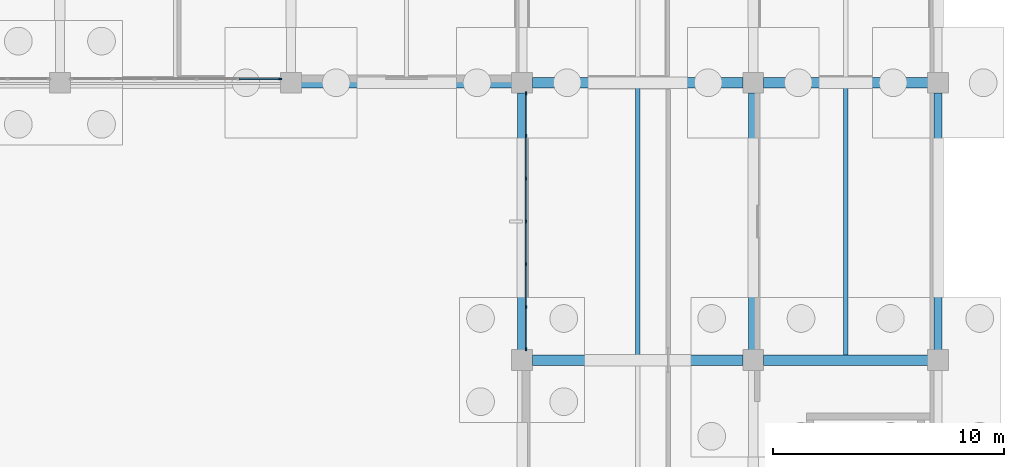
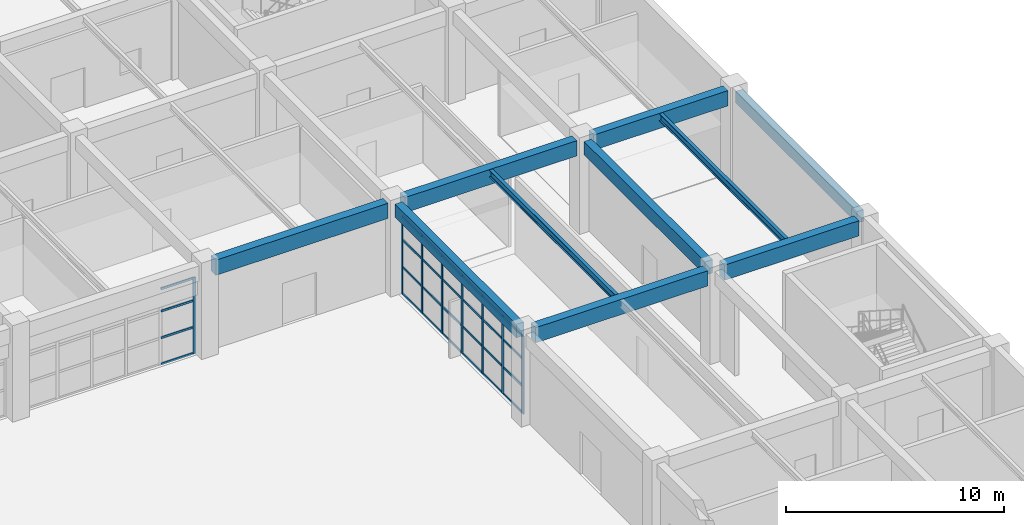
# One storey, part 62 of 99: 36 members, 10 beams, 2 elements without a shape of their own.
"""IFC4 building model written with IfcOpenShell, lengths in metres."""

from ifc_helpers import new_model, si_unit, direction, frame, origin, origin_2d, place, context, subcontext, project, spatial, rectangle, i_section, extrude, material, layer, layer_set, material_profile, profile_set, type_object, element, aggregate, save


model = new_model("IFC4")

# Units and contexts
model_context = context("Model", 3, precision=1e-05, world=origin(), true_north=direction((0.0, 1.0)))
body_context = subcontext(model_context, "Body", "Model", "MODEL_VIEW")
ifc_project = project(units=[si_unit("LENGTHUNIT", "METRE"), si_unit("AREAUNIT", "SQUARE_METRE"), si_unit("VOLUMEUNIT", "CUBIC_METRE"), si_unit("PLANEANGLEUNIT", "RADIAN"), si_unit("MASSUNIT", "GRAM", prefix="KILO")], contexts=[model_context])

# Site, building, storey
site_placement = place(None, origin())
site = spatial("IfcSite", under=ifc_project, at=site_placement, CompositionType="ELEMENT")
building_placement = place(site_placement, origin())
building = spatial("IfcBuilding", under=site, at=building_placement, Name="Kivolera Central Railway Station", CompositionType="ELEMENT")
storey_placement = place(building_placement, origin())
storey = spatial("IfcBuildingStorey", under=building, at=storey_placement, Name="L00", CompositionType="ELEMENT", Elevation=0.0)

# Beams
ifc_material_1 = material(Name="Steel S355", Category="steel")
ifc_material_profile_1 = material_profile(ifc_material_1, i_section(OverallWidth=0.179931640625, OverallDepth=0.39990234375, WebThickness=0.008544921875, FlangeThickness=0.013427734375, FilletRadius=0.02099609375, at=origin_2d()), Name="IPE 400")
ifc_profile_set_1 = profile_set([ifc_material_profile_1], Name="Steel S355")
beam_type_1 = type_object("IfcBeamType", Name="BM-JST-IPE400", PredefinedType="JOIST", material=ifc_profile_set_1)
for number, where, z_axis, x_axis, name in (
    (1, (183.0, 102.217041015625, 4.907958984375), (0.0, 1.0, 0.0), (-1.0, 0.0, 0.0), "L00 Floor Joist 18-19/J-K"),
    (2, (192.0, 102.217041015625, 4.907958984375), (0.0, 1.0, 0.0), (-1.0, 0.0, 0.0), "L00 Floor Joist 19-20/J-K"),
):
    element("IfcBeam", number, at=place(storey_placement, frame(where, z_axis=z_axis, x_axis=x_axis)), inside=storey, type_object=beam_type_1, Name=name, PredefinedType="JOIST", context=body_context, shape_type="SweptSolid", body=[
        extrude(i_section(OverallWidth=0.179931640625, OverallDepth=0.39990234375, WebThickness=0.008544921875, FlangeThickness=0.013427734375, FilletRadius=0.02099609375, at=origin_2d()), origin(), (0.0, 0.0, 1.0), 11.56591796875),
    ])
ifc_material_2 = material(Name="Concrete C40/50", Category="concrete")
ifc_material_profile_2 = material_profile(ifc_material_2, rectangle(XDim=0.39990234375, YDim=0.75, at=origin_2d()), Name="RC 400x750")
ifc_profile_set_2 = profile_set([ifc_material_profile_2], Name="Concrete C40/50")
beam_type_2 = type_object("IfcBeamType", Name="BM-RC-400x750", PredefinedType="BEAM", material=ifc_profile_set_2)
for number, where, z_axis, x_axis, name in (
    (3, (178.0, 102.44189453125, 4.7451171875), (0.0, 1.0, 0.0), (-1.0, 0.0, 0.0), "L00 Wing Y-Beam 18:J-K"),
    (4, (188.0, 102.44189453125, 4.7451171875), (0.0, 1.0, 0.0), (-1.0, 0.0, 0.0), "L00 Wing Y-Beam 19:J-K"),
):
    element("IfcBeam", number, at=place(storey_placement, frame(where, z_axis=z_axis, x_axis=x_axis)), inside=storey, type_object=beam_type_2, Name=name, PredefinedType="BEAM", context=body_context, shape_type="SweptSolid", body=[
        extrude(rectangle(XDim=0.39990234375, YDim=0.75, at=origin_2d()), origin(), (0.0, 0.0, 1.0), 11.1162109375),
    ])
ifc_material_profile_3 = material_profile(ifc_material_2, rectangle(XDim=0.449951171875, YDim=0.85009765625, at=origin_2d()), Name="RC 450x850")
ifc_profile_set_3 = profile_set([ifc_material_profile_3], Name="Concrete C40/50")
beam_type_3 = type_object("IfcBeamType", Name="BM-RC-450x850", PredefinedType="BEAM", material=ifc_profile_set_3)
beam_1_placement = place(storey_placement, frame((178.44189453125, 102.0, 4.695068359375), z_axis=(1.0, 0.0, 0.0), x_axis=(0.0, 1.0, 0.0)))
element("IfcBeam", 5, at=beam_1_placement, inside=storey, type_object=beam_type_3, Name="L00 Wing X-Beam J:18-19", PredefinedType="BEAM", context=body_context, shape_type="SweptSolid", body=[
    extrude(rectangle(XDim=0.449951171875, YDim=0.85009765625, at=origin_2d()), origin(), (0.0, 0.0, 1.0), 9.1162109375),
])
beam_2_placement = place(storey_placement, frame((188.44189453125, 102.0, 4.695068359375), z_axis=(1.0, 0.0, 0.0), x_axis=(0.0, 1.0, 0.0)))
element("IfcBeam", 6, at=beam_2_placement, inside=storey, type_object=beam_type_3, Name="L00 Wing X-Beam J:19-20", PredefinedType="BEAM", context=body_context, shape_type="SweptSolid", body=[
    extrude(rectangle(XDim=0.449951171875, YDim=0.85009765625, at=origin_2d()), origin(), (0.0, 0.0, 1.0), 7.1162109375),
])
for number, where, z_axis, x_axis, name in (
    (7, (168.44189453125, 114.0, 4.695068359375), (1.0, 0.0, 0.0), (0.0, 1.0, 0.0), "L00 Wing X-Beam K:17-18"),
    (8, (178.44189453125, 114.0, 4.695068359375), (1.0, 0.0, 0.0), (0.0, 1.0, 0.0), "L00 Wing X-Beam K:18-19"),
):
    element("IfcBeam", number, at=place(storey_placement, frame(where, z_axis=z_axis, x_axis=x_axis)), inside=storey, type_object=beam_type_3, Name=name, PredefinedType="BEAM", context=body_context, shape_type="SweptSolid", body=[
        extrude(rectangle(XDim=0.449951171875, YDim=0.85009765625, at=origin_2d()), origin(), (0.0, 0.0, 1.0), 9.1162109375),
    ])
beam_3_placement = place(storey_placement, frame((188.44189453125, 114.0, 4.695068359375), z_axis=(1.0, 0.0, 0.0), x_axis=(0.0, 1.0, 0.0)))
element("IfcBeam", 9, at=beam_3_placement, inside=storey, type_object=beam_type_3, Name="L00 Wing X-Beam K:19-20", PredefinedType="BEAM", context=body_context, shape_type="SweptSolid", body=[
    extrude(rectangle(XDim=0.449951171875, YDim=0.85009765625, at=origin_2d()), origin(), (0.0, 0.0, 1.0), 7.1162109375),
])
ifc_material_profile_4 = material_profile(ifc_material_2, rectangle(XDim=0.35009765625, YDim=0.64990234375, at=origin_2d()), Name="RC 350x650")
ifc_profile_set_4 = profile_set([ifc_material_profile_4], Name="Concrete C40/50")
beam_type_4 = type_object("IfcBeamType", Name="BM-SPN-RC650", PredefinedType="SPANDREL", material=ifc_profile_set_4)
beam_4_placement = place(storey_placement, frame((196.0, 102.44189453125, 4.794921875), z_axis=(0.0, 1.0, 0.0), x_axis=(-1.0, 0.0, 0.0)))
element("IfcBeam", 10, at=beam_4_placement, inside=storey, type_object=beam_type_4, Name="L00 Wing Y-Beam 20:J-K", PredefinedType="SPANDREL", context=body_context, shape_type="SweptSolid", body=[
    extrude(rectangle(XDim=0.35009765625, YDim=0.64990234375, at=origin_2d()), origin(), (0.0, 0.0, 1.0), 11.1162109375),
])

# Curtain wall, member
ifc_material_3 = material(Name="Anodised aluminium", Category="aluminium")
ifc_layer_1 = layer(ifc_material_3, 0.179931640625, Name="Anodised aluminium")
ifc_layer_set_1 = layer_set([ifc_layer_1], Name="Anodised aluminium")
curtain_wall_type_1 = type_object("IfcCurtainWallType", Name="CW-SYS-21", PredefinedType="NOTDEFINED", material=ifc_layer_set_1)
curtain_wall_1_placement = place(storey_placement, origin())
curtain_wall_1 = element("IfcCurtainWall", 11, at=curtain_wall_1_placement, inside=storey, type_object=curtain_wall_type_1, Name="L00 Curtain Wall CW-L00-CRTN-158", PredefinedType="NOTDEFINED")
ifc_material_profile_5 = material_profile(ifc_material_3, rectangle(XDim=0.06005859375, YDim=0.14990234375, at=origin_2d()), Name="ALU MULL 60x150")
ifc_profile_set_5 = profile_set([ifc_material_profile_5], Name="Anodised aluminium")
member_type_1 = type_object("IfcMemberType", Name="CWM-MUL-2", PredefinedType="MULLION", material=ifc_profile_set_5)
member_1_placement = place(storey_placement, frame((167.52490234375, 114.169921875, -0.0048828125), z_axis=(0.0, 0.0, 1.0), x_axis=(0.0, -1.0, 0.0)))
member_1 = element("IfcMember", 12, at=member_1_placement, type_object=member_type_1, Name="CW-21 mullion 1", PredefinedType="MULLION", context=body_context, shape_type="SweptSolid", body=[
    extrude(rectangle(XDim=0.06005859375, YDim=0.14990234375, at=origin_2d()), origin(), (0.0, 0.0, 1.0), 4.262939453125),
])

# Curtain wall, members
ifc_layer_2 = layer(ifc_material_3, 0.179931640625, Name="Anodised aluminium")
ifc_layer_set_2 = layer_set([ifc_layer_2], Name="Anodised aluminium")
curtain_wall_type_2 = type_object("IfcCurtainWallType", Name="CW-SYS-22", PredefinedType="NOTDEFINED", material=ifc_layer_set_2)
curtain_wall_2_placement = place(storey_placement, origin())
curtain_wall_2 = element("IfcCurtainWall", 13, at=curtain_wall_2_placement, inside=storey, type_object=curtain_wall_type_2, Name="L00 Curtain Wall CW-L00-CRTE-J", PredefinedType="NOTDEFINED")
member_2_placement = place(storey_placement, frame((178.169921875, 102.47509765625, -0.0048828125), z_axis=(0.0, 0.0, 1.0), x_axis=(-1.0, 0.0, 0.0)))
member_2 = element("IfcMember", 14, at=member_2_placement, type_object=member_type_1, Name="CW-22 mullion 1", PredefinedType="MULLION", context=body_context, shape_type="SweptSolid", body=[
    extrude(rectangle(XDim=0.06005859375, YDim=0.14990234375, at=origin_2d()), origin(), (0.0, 0.0, 1.0), 4.36279296875),
])
member_3_placement = place(storey_placement, frame((178.169921875, 104.296630859375, -0.0048828125), z_axis=(0.0, 0.0, 1.0), x_axis=(-1.0, 0.0, 0.0)))
member_3 = element("IfcMember", 15, at=member_3_placement, type_object=member_type_1, Name="CW-22 mullion 2", PredefinedType="MULLION", context=body_context, shape_type="SweptSolid", body=[
    extrude(rectangle(XDim=0.06005859375, YDim=0.14990234375, at=origin_2d()), origin(), (0.0, 0.0, 1.0), 4.36279296875),
])
member_4_placement = place(storey_placement, frame((178.169921875, 106.1484375, -0.0048828125), z_axis=(0.0, 0.0, 1.0), x_axis=(-1.0, 0.0, 0.0)))
member_4 = element("IfcMember", 16, at=member_4_placement, type_object=member_type_1, Name="CW-22 mullion 3", PredefinedType="MULLION", context=body_context, shape_type="SweptSolid", body=[
    extrude(rectangle(XDim=0.06005859375, YDim=0.14990234375, at=origin_2d()), origin(), (0.0, 0.0, 1.0), 4.36279296875),
])
member_5_placement = place(storey_placement, frame((178.169921875, 108.0, -0.0048828125), z_axis=(0.0, 0.0, 1.0), x_axis=(-1.0, 0.0, 0.0)))
member_5 = element("IfcMember", 17, at=member_5_placement, type_object=member_type_1, Name="CW-22 mullion 4", PredefinedType="MULLION", context=body_context, shape_type="SweptSolid", body=[
    extrude(rectangle(XDim=0.06005859375, YDim=0.14990234375, at=origin_2d()), origin(), (0.0, 0.0, 1.0), 4.36279296875),
])
member_6_placement = place(storey_placement, frame((178.169921875, 109.8515625, -0.0048828125), z_axis=(0.0, 0.0, 1.0), x_axis=(-1.0, 0.0, 0.0)))
member_6 = element("IfcMember", 18, at=member_6_placement, type_object=member_type_1, Name="CW-22 mullion 5", PredefinedType="MULLION", context=body_context, shape_type="SweptSolid", body=[
    extrude(rectangle(XDim=0.06005859375, YDim=0.14990234375, at=origin_2d()), origin(), (0.0, 0.0, 1.0), 4.36279296875),
])
member_7_placement = place(storey_placement, frame((178.169921875, 111.703369140625, -0.0048828125), z_axis=(0.0, 0.0, 1.0), x_axis=(-1.0, 0.0, 0.0)))
member_7 = element("IfcMember", 19, at=member_7_placement, type_object=member_type_1, Name="CW-22 mullion 6", PredefinedType="MULLION", context=body_context, shape_type="SweptSolid", body=[
    extrude(rectangle(XDim=0.06005859375, YDim=0.14990234375, at=origin_2d()), origin(), (0.0, 0.0, 1.0), 4.36279296875),
])
member_8_placement = place(storey_placement, frame((178.169921875, 113.52490234375, -0.0048828125), z_axis=(0.0, 0.0, 1.0), x_axis=(-1.0, 0.0, 0.0)))
member_8 = element("IfcMember", 20, at=member_8_placement, type_object=member_type_1, Name="CW-22 mullion 7", PredefinedType="MULLION", context=body_context, shape_type="SweptSolid", body=[
    extrude(rectangle(XDim=0.06005859375, YDim=0.14990234375, at=origin_2d()), origin(), (0.0, 0.0, 1.0), 4.36279296875),
])

# Member
ifc_material_profile_6 = material_profile(ifc_material_3, rectangle(XDim=0.06005859375, YDim=0.1201171875, at=origin_2d()), Name="ALU TRAN 60x120")
ifc_profile_set_6 = profile_set([ifc_material_profile_6], Name="Anodised aluminium")
member_type_2 = type_object("IfcMemberType", Name="CWM-TRN-2", PredefinedType="USERDEFINED", material=ifc_profile_set_6)
member_9_placement = place(storey_placement, frame((167.4951171875, 114.169921875, 0.030029296875), z_axis=(-1.0, 0.0, 0.0), x_axis=(0.0, -1.0, 0.0)))
member_9 = element("IfcMember", 21, at=member_9_placement, type_object=member_type_2, Name="CW-21 transom 1.1", ObjectType="TRANSOM", PredefinedType="USERDEFINED", context=body_context, shape_type="SweptSolid", body=[
    extrude(rectangle(XDim=0.06005859375, YDim=0.1201171875, at=origin_2d()), origin(), (0.0, 0.0, 1.0), 1.732177734375),
])

member_10_placement = place(storey_placement, frame((167.4951171875, 114.169921875, 1.490234375), z_axis=(-1.0, 0.0, 0.0), x_axis=(0.0, -1.0, 0.0)))
member_10 = element("IfcMember", 22, at=member_10_placement, type_object=member_type_2, Name="CW-21 transom 1.2", ObjectType="TRANSOM", PredefinedType="USERDEFINED", context=body_context, shape_type="SweptSolid", body=[
    extrude(rectangle(XDim=0.06005859375, YDim=0.1201171875, at=origin_2d()), origin(), (0.0, 0.0, 1.0), 1.732177734375),
])

member_11_placement = place(storey_placement, frame((167.4951171875, 114.169921875, 2.980712890625), z_axis=(-1.0, 0.0, 0.0), x_axis=(0.0, -1.0, 0.0)))
member_11 = element("IfcMember", 23, at=member_11_placement, type_object=member_type_2, Name="CW-21 transom 1.3", ObjectType="TRANSOM", PredefinedType="USERDEFINED", context=body_context, shape_type="SweptSolid", body=[
    extrude(rectangle(XDim=0.06005859375, YDim=0.1201171875, at=origin_2d()), origin(), (0.0, 0.0, 1.0), 1.732177734375),
])

member_12_placement = place(storey_placement, frame((167.4951171875, 114.169921875, 4.22802734375), z_axis=(-1.0, 0.0, 0.0), x_axis=(0.0, -1.0, 0.0)))
member_12 = element("IfcMember", 24, at=member_12_placement, type_object=member_type_2, Name="CW-21 transom 1.4", ObjectType="TRANSOM", PredefinedType="USERDEFINED", context=body_context, shape_type="SweptSolid", body=[
    extrude(rectangle(XDim=0.06005859375, YDim=0.1201171875, at=origin_2d()), origin(), (0.0, 0.0, 1.0), 1.732177734375),
])

aggregate(curtain_wall_1, [member_1, member_9, member_10, member_11, member_12])

member_13_placement = place(storey_placement, frame((178.169921875, 102.5048828125, 0.030029296875), z_axis=(0.0, 1.0, 0.0), x_axis=(-1.0, 0.0, 0.0)))
member_13 = element("IfcMember", 25, at=member_13_placement, type_object=member_type_2, Name="CW-22 transom 1.1", ObjectType="TRANSOM", PredefinedType="USERDEFINED", context=body_context, shape_type="SweptSolid", body=[
    extrude(rectangle(XDim=0.06005859375, YDim=0.1201171875, at=origin_2d()), origin(), (0.0, 0.0, 1.0), 1.76171875),
])

member_14_placement = place(storey_placement, frame((178.169921875, 102.5048828125, 1.525390625), z_axis=(0.0, 1.0, 0.0), x_axis=(-1.0, 0.0, 0.0)))
member_14 = element("IfcMember", 26, at=member_14_placement, type_object=member_type_2, Name="CW-22 transom 1.2", ObjectType="TRANSOM", PredefinedType="USERDEFINED", context=body_context, shape_type="SweptSolid", body=[
    extrude(rectangle(XDim=0.06005859375, YDim=0.1201171875, at=origin_2d()), origin(), (0.0, 0.0, 1.0), 1.76171875),
])

member_15_placement = place(storey_placement, frame((178.169921875, 102.5048828125, 3.050537109375), z_axis=(0.0, 1.0, 0.0), x_axis=(-1.0, 0.0, 0.0)))
member_15 = element("IfcMember", 27, at=member_15_placement, type_object=member_type_2, Name="CW-22 transom 1.3", ObjectType="TRANSOM", PredefinedType="USERDEFINED", context=body_context, shape_type="SweptSolid", body=[
    extrude(rectangle(XDim=0.06005859375, YDim=0.1201171875, at=origin_2d()), origin(), (0.0, 0.0, 1.0), 1.76171875),
])

member_16_placement = place(storey_placement, frame((178.169921875, 102.5048828125, 4.327880859375), z_axis=(0.0, 1.0, 0.0), x_axis=(-1.0, 0.0, 0.0)))
member_16 = element("IfcMember", 28, at=member_16_placement, type_object=member_type_2, Name="CW-22 transom 1.4", ObjectType="TRANSOM", PredefinedType="USERDEFINED", context=body_context, shape_type="SweptSolid", body=[
    extrude(rectangle(XDim=0.06005859375, YDim=0.1201171875, at=origin_2d()), origin(), (0.0, 0.0, 1.0), 1.76171875),
])

member_17_placement = place(storey_placement, frame((178.169921875, 104.32666015625, 0.030029296875), z_axis=(0.0, 1.0, 0.0), x_axis=(-1.0, 0.0, 0.0)))
member_17 = element("IfcMember", 29, at=member_17_placement, type_object=member_type_2, Name="CW-22 transom 2.1", ObjectType="TRANSOM", PredefinedType="USERDEFINED", context=body_context, shape_type="SweptSolid", body=[
    extrude(rectangle(XDim=0.06005859375, YDim=0.1201171875, at=origin_2d()), origin(), (0.0, 0.0, 1.0), 1.791748046875),
])

member_18_placement = place(storey_placement, frame((178.169921875, 104.32666015625, 1.525390625), z_axis=(0.0, 1.0, 0.0), x_axis=(-1.0, 0.0, 0.0)))
member_18 = element("IfcMember", 30, at=member_18_placement, type_object=member_type_2, Name="CW-22 transom 2.2", ObjectType="TRANSOM", PredefinedType="USERDEFINED", context=body_context, shape_type="SweptSolid", body=[
    extrude(rectangle(XDim=0.06005859375, YDim=0.1201171875, at=origin_2d()), origin(), (0.0, 0.0, 1.0), 1.791748046875),
])

member_19_placement = place(storey_placement, frame((178.169921875, 104.32666015625, 3.050537109375), z_axis=(0.0, 1.0, 0.0), x_axis=(-1.0, 0.0, 0.0)))
member_19 = element("IfcMember", 31, at=member_19_placement, type_object=member_type_2, Name="CW-22 transom 2.3", ObjectType="TRANSOM", PredefinedType="USERDEFINED", context=body_context, shape_type="SweptSolid", body=[
    extrude(rectangle(XDim=0.06005859375, YDim=0.1201171875, at=origin_2d()), origin(), (0.0, 0.0, 1.0), 1.791748046875),
])

member_20_placement = place(storey_placement, frame((178.169921875, 104.32666015625, 4.327880859375), z_axis=(0.0, 1.0, 0.0), x_axis=(-1.0, 0.0, 0.0)))
member_20 = element("IfcMember", 32, at=member_20_placement, type_object=member_type_2, Name="CW-22 transom 2.4", ObjectType="TRANSOM", PredefinedType="USERDEFINED", context=body_context, shape_type="SweptSolid", body=[
    extrude(rectangle(XDim=0.06005859375, YDim=0.1201171875, at=origin_2d()), origin(), (0.0, 0.0, 1.0), 1.791748046875),
])

member_21_placement = place(storey_placement, frame((178.169921875, 106.17822265625, 0.030029296875), z_axis=(0.0, 1.0, 0.0), x_axis=(-1.0, 0.0, 0.0)))
member_21 = element("IfcMember", 33, at=member_21_placement, type_object=member_type_2, Name="CW-22 transom 3.1", ObjectType="TRANSOM", PredefinedType="USERDEFINED", context=body_context, shape_type="SweptSolid", body=[
    extrude(rectangle(XDim=0.06005859375, YDim=0.1201171875, at=origin_2d()), origin(), (0.0, 0.0, 1.0), 1.791748046875),
])

member_22_placement = place(storey_placement, frame((178.169921875, 106.17822265625, 1.525390625), z_axis=(0.0, 1.0, 0.0), x_axis=(-1.0, 0.0, 0.0)))
member_22 = element("IfcMember", 34, at=member_22_placement, type_object=member_type_2, Name="CW-22 transom 3.2", ObjectType="TRANSOM", PredefinedType="USERDEFINED", context=body_context, shape_type="SweptSolid", body=[
    extrude(rectangle(XDim=0.06005859375, YDim=0.1201171875, at=origin_2d()), origin(), (0.0, 0.0, 1.0), 1.791748046875),
])

member_23_placement = place(storey_placement, frame((178.169921875, 106.17822265625, 3.050537109375), z_axis=(0.0, 1.0, 0.0), x_axis=(-1.0, 0.0, 0.0)))
member_23 = element("IfcMember", 35, at=member_23_placement, type_object=member_type_2, Name="CW-22 transom 3.3", ObjectType="TRANSOM", PredefinedType="USERDEFINED", context=body_context, shape_type="SweptSolid", body=[
    extrude(rectangle(XDim=0.06005859375, YDim=0.1201171875, at=origin_2d()), origin(), (0.0, 0.0, 1.0), 1.791748046875),
])

member_24_placement = place(storey_placement, frame((178.169921875, 106.17822265625, 4.327880859375), z_axis=(0.0, 1.0, 0.0), x_axis=(-1.0, 0.0, 0.0)))
member_24 = element("IfcMember", 36, at=member_24_placement, type_object=member_type_2, Name="CW-22 transom 3.4", ObjectType="TRANSOM", PredefinedType="USERDEFINED", context=body_context, shape_type="SweptSolid", body=[
    extrude(rectangle(XDim=0.06005859375, YDim=0.1201171875, at=origin_2d()), origin(), (0.0, 0.0, 1.0), 1.791748046875),
])

member_25_placement = place(storey_placement, frame((178.169921875, 108.030029296875, 0.030029296875), z_axis=(0.0, 1.0, 0.0), x_axis=(-1.0, 0.0, 0.0)))
member_25 = element("IfcMember", 37, at=member_25_placement, type_object=member_type_2, Name="CW-22 transom 4.1", ObjectType="TRANSOM", PredefinedType="USERDEFINED", context=body_context, shape_type="SweptSolid", body=[
    extrude(rectangle(XDim=0.06005859375, YDim=0.1201171875, at=origin_2d()), origin(), (0.0, 0.0, 1.0), 1.791748046875),
])

member_26_placement = place(storey_placement, frame((178.169921875, 108.030029296875, 1.525390625), z_axis=(0.0, 1.0, 0.0), x_axis=(-1.0, 0.0, 0.0)))
member_26 = element("IfcMember", 38, at=member_26_placement, type_object=member_type_2, Name="CW-22 transom 4.2", ObjectType="TRANSOM", PredefinedType="USERDEFINED", context=body_context, shape_type="SweptSolid", body=[
    extrude(rectangle(XDim=0.06005859375, YDim=0.1201171875, at=origin_2d()), origin(), (0.0, 0.0, 1.0), 1.791748046875),
])

member_27_placement = place(storey_placement, frame((178.169921875, 108.030029296875, 3.050537109375), z_axis=(0.0, 1.0, 0.0), x_axis=(-1.0, 0.0, 0.0)))
member_27 = element("IfcMember", 39, at=member_27_placement, type_object=member_type_2, Name="CW-22 transom 4.3", ObjectType="TRANSOM", PredefinedType="USERDEFINED", context=body_context, shape_type="SweptSolid", body=[
    extrude(rectangle(XDim=0.06005859375, YDim=0.1201171875, at=origin_2d()), origin(), (0.0, 0.0, 1.0), 1.791748046875),
])

member_28_placement = place(storey_placement, frame((178.169921875, 108.030029296875, 4.327880859375), z_axis=(0.0, 1.0, 0.0), x_axis=(-1.0, 0.0, 0.0)))
member_28 = element("IfcMember", 40, at=member_28_placement, type_object=member_type_2, Name="CW-22 transom 4.4", ObjectType="TRANSOM", PredefinedType="USERDEFINED", context=body_context, shape_type="SweptSolid", body=[
    extrude(rectangle(XDim=0.06005859375, YDim=0.1201171875, at=origin_2d()), origin(), (0.0, 0.0, 1.0), 1.791748046875),
])

member_29_placement = place(storey_placement, frame((178.169921875, 109.881591796875, 0.030029296875), z_axis=(0.0, 1.0, 0.0), x_axis=(-1.0, 0.0, 0.0)))
member_29 = element("IfcMember", 41, at=member_29_placement, type_object=member_type_2, Name="CW-22 transom 5.1", ObjectType="TRANSOM", PredefinedType="USERDEFINED", context=body_context, shape_type="SweptSolid", body=[
    extrude(rectangle(XDim=0.06005859375, YDim=0.1201171875, at=origin_2d()), origin(), (0.0, 0.0, 1.0), 1.791748046875),
])

member_30_placement = place(storey_placement, frame((178.169921875, 109.881591796875, 1.525390625), z_axis=(0.0, 1.0, 0.0), x_axis=(-1.0, 0.0, 0.0)))
member_30 = element("IfcMember", 42, at=member_30_placement, type_object=member_type_2, Name="CW-22 transom 5.2", ObjectType="TRANSOM", PredefinedType="USERDEFINED", context=body_context, shape_type="SweptSolid", body=[
    extrude(rectangle(XDim=0.06005859375, YDim=0.1201171875, at=origin_2d()), origin(), (0.0, 0.0, 1.0), 1.791748046875),
])

member_31_placement = place(storey_placement, frame((178.169921875, 109.881591796875, 3.050537109375), z_axis=(0.0, 1.0, 0.0), x_axis=(-1.0, 0.0, 0.0)))
member_31 = element("IfcMember", 43, at=member_31_placement, type_object=member_type_2, Name="CW-22 transom 5.3", ObjectType="TRANSOM", PredefinedType="USERDEFINED", context=body_context, shape_type="SweptSolid", body=[
    extrude(rectangle(XDim=0.06005859375, YDim=0.1201171875, at=origin_2d()), origin(), (0.0, 0.0, 1.0), 1.791748046875),
])

member_32_placement = place(storey_placement, frame((178.169921875, 109.881591796875, 4.327880859375), z_axis=(0.0, 1.0, 0.0), x_axis=(-1.0, 0.0, 0.0)))
member_32 = element("IfcMember", 44, at=member_32_placement, type_object=member_type_2, Name="CW-22 transom 5.4", ObjectType="TRANSOM", PredefinedType="USERDEFINED", context=body_context, shape_type="SweptSolid", body=[
    extrude(rectangle(XDim=0.06005859375, YDim=0.1201171875, at=origin_2d()), origin(), (0.0, 0.0, 1.0), 1.791748046875),
])

member_33_placement = place(storey_placement, frame((178.169921875, 111.7333984375, 0.030029296875), z_axis=(0.0, 1.0, 0.0), x_axis=(-1.0, 0.0, 0.0)))
member_33 = element("IfcMember", 45, at=member_33_placement, type_object=member_type_2, Name="CW-22 transom 6.1", ObjectType="TRANSOM", PredefinedType="USERDEFINED", context=body_context, shape_type="SweptSolid", body=[
    extrude(rectangle(XDim=0.06005859375, YDim=0.1201171875, at=origin_2d()), origin(), (0.0, 0.0, 1.0), 1.76171875),
])

member_34_placement = place(storey_placement, frame((178.169921875, 111.7333984375, 1.525390625), z_axis=(0.0, 1.0, 0.0), x_axis=(-1.0, 0.0, 0.0)))
member_34 = element("IfcMember", 46, at=member_34_placement, type_object=member_type_2, Name="CW-22 transom 6.2", ObjectType="TRANSOM", PredefinedType="USERDEFINED", context=body_context, shape_type="SweptSolid", body=[
    extrude(rectangle(XDim=0.06005859375, YDim=0.1201171875, at=origin_2d()), origin(), (0.0, 0.0, 1.0), 1.76171875),
])

member_35_placement = place(storey_placement, frame((178.169921875, 111.7333984375, 3.050537109375), z_axis=(0.0, 1.0, 0.0), x_axis=(-1.0, 0.0, 0.0)))
member_35 = element("IfcMember", 47, at=member_35_placement, type_object=member_type_2, Name="CW-22 transom 6.3", ObjectType="TRANSOM", PredefinedType="USERDEFINED", context=body_context, shape_type="SweptSolid", body=[
    extrude(rectangle(XDim=0.06005859375, YDim=0.1201171875, at=origin_2d()), origin(), (0.0, 0.0, 1.0), 1.76171875),
])

member_36_placement = place(storey_placement, frame((178.169921875, 111.7333984375, 4.327880859375), z_axis=(0.0, 1.0, 0.0), x_axis=(-1.0, 0.0, 0.0)))
member_36 = element("IfcMember", 48, at=member_36_placement, type_object=member_type_2, Name="CW-22 transom 6.4", ObjectType="TRANSOM", PredefinedType="USERDEFINED", context=body_context, shape_type="SweptSolid", body=[
    extrude(rectangle(XDim=0.06005859375, YDim=0.1201171875, at=origin_2d()), origin(), (0.0, 0.0, 1.0), 1.76171875),
])

aggregate(curtain_wall_2, [member_2, member_3, member_4, member_5, member_6, member_7, member_8, member_13, member_14, member_15, member_16, member_17, member_18, member_19, member_20, member_21, member_22, member_23, member_24, member_25, member_26, member_27, member_28, member_29, member_30, member_31, member_32, member_33, member_34, member_35, member_36])

save(model, "model.ifc")
